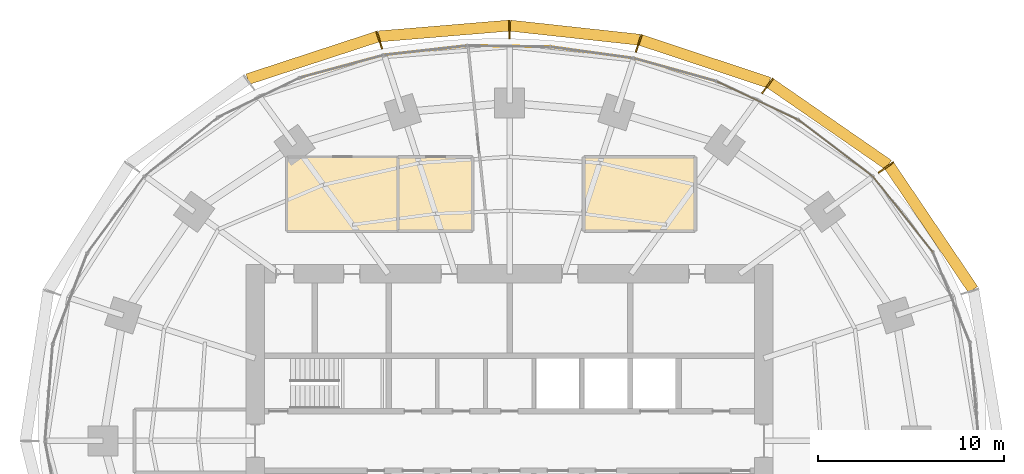
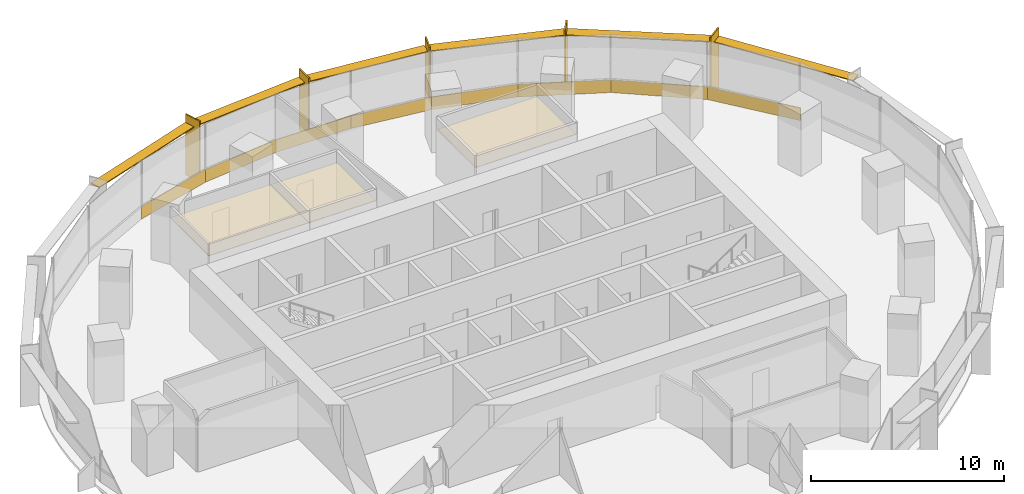
# One storey, part 14 of 14: 11 coverings, 11 shading devices.
"""IFC4 building model written with IfcOpenShell, lengths in metres."""

from ifc_helpers import new_model, si_unit, direction, frame, origin, origin_2d, place, context, subcontext, project, spatial, polyline, rectangle, outline, extrude, material, layer, layer_set, type_object, element, save


model = new_model("IFC4")

# Units and contexts
model_context = context("Model", 3, precision=1e-05, world=origin(), true_north=direction((0.0, 1.0)))
body_context = subcontext(model_context, "Body", "Model", "MODEL_VIEW")
ifc_project = project(units=[si_unit("LENGTHUNIT", "METRE"), si_unit("AREAUNIT", "SQUARE_METRE"), si_unit("VOLUMEUNIT", "CUBIC_METRE"), si_unit("PLANEANGLEUNIT", "RADIAN"), si_unit("MASSUNIT", "GRAM", prefix="KILO")], contexts=[model_context])

# Site, building, storey
site_placement = place(None, origin())
site = spatial("IfcSite", under=ifc_project, at=site_placement, CompositionType="ELEMENT")
building_placement = place(site_placement, origin())
building = spatial("IfcBuilding", under=site, at=building_placement, Name="Marramba Exchange Tower", CompositionType="ELEMENT")
storey_placement = place(building_placement, frame((0.0, 0.0, 162.60009765625)))
storey = spatial("IfcBuildingStorey", under=building, at=storey_placement, Name="L39", CompositionType="ELEMENT", Elevation=162.60009765625)

# Shading devices
ifc_material_1 = material(Name="Aluminium blade, timber-look bronze finish", Category="wood")
ifc_layer_1 = layer(ifc_material_1, 0.080078125)
ifc_layer_set_1 = layer_set([ifc_layer_1], Name="Floor-edge blade 1000x80")
shading_device_type_1 = type_object("IfcShadingDeviceType", Name="Floor-edge blade 1000x80", PredefinedType="USERDEFINED", material=ifc_layer_set_1)
for number, where, z_axis, x_axis, name in (
    (1, (20.27392578125, 14.72998046875, -0.16015625), (0.0, 0.0, 1.0), (0.809016994375, 0.587785252292, 0.0), "Floor-edge blade FB1 L39 TC03"),
    (2, (13.8955078125, 19.12548828125, -0.16015625), (0.0, 0.0, 1.0), (0.587785252292, 0.809016994375, 0.0), "Floor-edge blade FB1 L39 TC04"),
    (3, (6.958984375, 21.41748046875, -0.16015625), (0.0, 0.0, 1.0), (0.309016994375, 0.951056516295, 0.0), "Floor-edge blade FB1 L39 TC05"),
    (4, (0.0, 22.173095703125, -0.16015625), (0.0, 0.0, 1.0), (0.0, 1.0, 0.0), "Floor-edge blade FB1 L39 TC06"),
    (5, (-7.016845703125, 21.595703125, -0.16015625), (0.0, 0.0, 1.0), (-0.309016994375, 0.951056516295, 0.0), "Floor-edge blade FB1 L39 TC07"),
):
    element("IfcShadingDevice", number, at=place(storey_placement, frame(where, z_axis=z_axis, x_axis=x_axis)), inside=storey, type_object=shading_device_type_1, Name=name, ObjectType="FIN", PredefinedType="USERDEFINED", context=body_context, shape_type="SweptSolid", body=[
        extrude(rectangle(XDim=1.0, YDim=0.080078125, at=origin_2d()), origin(), (0.0, 0.0, 1.0), 3.860107421875),
    ])
ifc_material_2 = material(Name="Aluminium sunshade, bronze anodised", Category="aluminium")
ifc_layer_2 = layer(ifc_material_2, 0.06005859375)
ifc_layer_set_2 = layer_set([ifc_layer_2], Name="SUNSHADE blade 600x60")
shading_device_type_2 = type_object("IfcShadingDeviceType", Name="SUNSHADE blade 600x60", PredefinedType="USERDEFINED", material=ifc_layer_set_2)
shading_device_1_placement = place(storey_placement, frame((22.712158203125, 11.4833984375, 3.119873046875), z_axis=(0.0, 0.0, 1.0), x_axis=(-0.560441804861, 0.828193807852, 0.0)))
element("IfcShadingDevice", 6, at=shading_device_1_placement, inside=storey, type_object=shading_device_type_2, Name="Sunshade SS1 L39 bay 02", ObjectType="SUNSHADE", PredefinedType="USERDEFINED", context=body_context, shape_type="SweptSolid", body=[
    extrude(rectangle(XDim=8.0439453125, YDim=0.60009765625, at=origin_2d()), origin(), (0.0, 0.0, 1.0), 0.06005859375),
])
shading_device_2_placement = place(storey_placement, frame((17.224365234375, 17.0673828125, 3.119873046875), z_axis=(0.0, 0.0, 1.0), x_axis=(-0.822589509071, 0.568635647464, 0.0)))
element("IfcShadingDevice", 7, at=shading_device_2_placement, inside=storey, type_object=shading_device_type_2, Name="Sunshade SS1 L39 bay 03", ObjectType="SUNSHADE", PredefinedType="USERDEFINED", context=body_context, shape_type="SweptSolid", body=[
    extrude(rectangle(XDim=7.72802734375, YDim=0.60009765625, at=origin_2d()), origin(), (0.0, 0.0, 1.0), 0.06005859375),
])
shading_device_3_placement = place(storey_placement, frame((10.516845703125, 20.447509765625, 3.119873046875), z_axis=(0.0, 0.0, 1.0), x_axis=(-0.949101076178, 0.314971660944, 0.0)))
element("IfcShadingDevice", 8, at=shading_device_3_placement, inside=storey, type_object=shading_device_type_2, Name="Sunshade SS1 L39 bay 04", ObjectType="SUNSHADE", PredefinedType="USERDEFINED", context=body_context, shape_type="SweptSolid", body=[
    extrude(rectangle(XDim=7.287353515625, YDim=0.60009765625, at=origin_2d()), origin(), (0.0, 0.0, 1.0), 0.06005859375),
])
shading_device_4_placement = place(storey_placement, frame((3.510498046875, 21.990478515625, 3.119873046875), z_axis=(0.0, 0.0, 1.0), x_axis=(-0.994111392801, 0.108362995081, 0.0)))
element("IfcShadingDevice", 9, at=shading_device_4_placement, inside=storey, type_object=shading_device_type_2, Name="Sunshade SS1 L39 bay 05", ObjectType="SUNSHADE", PredefinedType="USERDEFINED", context=body_context, shape_type="SweptSolid", body=[
    extrude(rectangle(XDim=6.982421875, YDim=0.60009765625, at=origin_2d()), origin(), (0.0, 0.0, 1.0), 0.06005859375),
])
shading_device_5_placement = place(storey_placement, frame((-3.539306640625, 22.07958984375, 3.119873046875), z_axis=(0.0, 0.0, 1.0), x_axis=(-0.996577838412, -0.08265961521, 0.0)))
element("IfcShadingDevice", 10, at=shading_device_5_placement, inside=storey, type_object=shading_device_type_2, Name="Sunshade SS1 L39 bay 06", ObjectType="SUNSHADE", PredefinedType="USERDEFINED", context=body_context, shape_type="SweptSolid", body=[
    extrude(rectangle(XDim=7.02294921875, YDim=0.60009765625, at=origin_2d()), origin(), (0.0, 0.0, 1.0), 0.06005859375),
])
shading_device_6_placement = place(storey_placement, frame((-10.61279296875, 20.628662109375, 3.119873046875), z_axis=(0.0, 0.0, 1.0), x_axis=(-0.950345637432, -0.311196351865, 0.0)))
element("IfcShadingDevice", 11, at=shading_device_6_placement, inside=storey, type_object=shading_device_type_2, Name="Sunshade SS1 L39 bay 07", ObjectType="SUNSHADE", PredefinedType="USERDEFINED", context=body_context, shape_type="SweptSolid", body=[
    extrude(rectangle(XDim=7.357421875, YDim=0.60009765625, at=origin_2d()), origin(), (0.0, 0.0, 1.0), 0.06005859375),
])

# Coverings
ifc_material_3 = material(Name="Aluminium spandrel panel, bronze anodised, insulated", Category="aluminium")
ifc_layer_3 = layer(ifc_material_3, 0.050048828125)
ifc_layer_set_3 = layer_set([ifc_layer_3], Name="Spandrel panel 800")
covering_type_1 = type_object("IfcCoveringType", Name="Spandrel panel 800", PredefinedType="CLADDING", material=ifc_layer_set_3)
covering_1_placement = place(storey_placement, frame((21.20068359375, 12.194091796875, 0.0), z_axis=(0.0, 0.0, 1.0), x_axis=(-0.621311998758, 0.783563271344, 0.0)))
element("IfcCovering", 12, at=covering_1_placement, inside=storey, type_object=covering_type_1, Name="Spandrel panel SP1 L39 F03", PredefinedType="CLADDING", context=body_context, shape_type="SweptSolid", body=[
    extrude(rectangle(XDim=5.197021484375, YDim=0.050048828125, at=origin_2d()), origin(), (0.0, 0.0, 1.0), 0.800048828125),
])
covering_2_placement = place(storey_placement, frame((17.576171875, 15.759033203125, 0.0), z_axis=(0.0, 0.0, 1.0), x_axis=(-0.795971745176, 0.605333776426, 0.0)))
element("IfcCovering", 13, at=covering_2_placement, inside=storey, type_object=covering_type_1, Name="Spandrel panel SP1 L39 F04", PredefinedType="CLADDING", context=body_context, shape_type="SweptSolid", body=[
    extrude(rectangle(XDim=5.05078125, YDim=0.050048828125, at=origin_2d()), origin(), (0.0, 0.0, 1.0), 0.800048828125),
])
covering_3_placement = place(storey_placement, frame((13.371337890625, 18.322998046875, 0.0), z_axis=(0.0, 0.0, 1.0), x_axis=(-0.904403135206, 0.426678999987, 0.0)))
element("IfcCovering", 14, at=covering_3_placement, inside=storey, type_object=covering_type_1, Name="Spandrel panel SP1 L39 F05", PredefinedType="CLADDING", context=body_context, shape_type="SweptSolid", body=[
    extrude(rectangle(XDim=4.853271484375, YDim=0.050048828125, at=origin_2d()), origin(), (0.0, 0.0, 1.0), 0.800048828125),
])
covering_4_placement = place(storey_placement, frame((8.9365234375, 19.98388671875, 0.0), z_axis=(0.0, 0.0, 1.0), x_axis=(-0.963177847397, 0.268865085655, 0.0)))
element("IfcCovering", 15, at=covering_4_placement, inside=storey, type_object=covering_type_1, Name="Spandrel panel SP1 L39 F06", PredefinedType="CLADDING", context=body_context, shape_type="SweptSolid", body=[
    extrude(rectangle(XDim=4.651611328125, YDim=0.050048828125, at=origin_2d()), origin(), (0.0, 0.0, 1.0), 0.800048828125),
])
covering_5_placement = place(storey_placement, frame((4.46337890625, 20.915283203125, 0.0), z_axis=(0.0, 0.0, 1.0), x_axis=(-0.990738214019, 0.135785828725, 0.0)))
element("IfcCovering", 16, at=covering_5_placement, inside=storey, type_object=covering_type_1, Name="Spandrel panel SP1 L39 F07", PredefinedType="CLADDING", context=body_context, shape_type="SweptSolid", body=[
    extrude(rectangle(XDim=4.507568359375, YDim=0.050048828125, at=origin_2d()), origin(), (0.0, 0.0, 1.0), 0.800048828125),
])
covering_6_placement = place(storey_placement, frame((-0.003662109375, 21.25634765625, 0.0), z_axis=(0.0, 0.0, 1.0), x_axis=(-0.999875870008, 0.015755779107, 0.0)))
element("IfcCovering", 17, at=covering_6_placement, inside=storey, type_object=covering_type_1, Name="Spandrel panel SP1 L39 F08", PredefinedType="CLADDING", context=body_context, shape_type="SweptSolid", body=[
    extrude(rectangle(XDim=4.46875, YDim=0.050048828125, at=origin_2d()), origin(), (0.0, 0.0, 1.0), 0.800048828125),
])
covering_7_placement = place(storey_placement, frame((-4.49609375, 21.03955078125, 0.0), z_axis=(0.0, 0.0, 1.0), x_axis=(-0.993823395975, -0.110973229261, 0.0)))
element("IfcCovering", 18, at=covering_7_placement, inside=storey, type_object=covering_type_1, Name="Spandrel panel SP1 L39 F09", PredefinedType="CLADDING", context=body_context, shape_type="SweptSolid", body=[
    extrude(rectangle(XDim=4.54443359375, YDim=0.050048828125, at=origin_2d()), origin(), (0.0, 0.0, 1.0), 0.800048828125),
])
covering_8_placement = place(storey_placement, frame((-9.0244140625, 20.17529296875, 0.0), z_axis=(0.0, 0.0, 1.0), x_axis=(-0.965522049344, -0.26032128655, 0.0)))
element("IfcCovering", 19, at=covering_8_placement, inside=storey, type_object=covering_type_1, Name="Spandrel panel SP1 L39 F10", PredefinedType="CLADDING", context=body_context, shape_type="SweptSolid", body=[
    extrude(rectangle(XDim=4.70263671875, YDim=0.050048828125, at=origin_2d()), origin(), (0.0, 0.0, 1.0), 0.800048828125),
])
ifc_material_4 = material(Name="Mineral fibre ceiling tiles", Category="gypsum")
ifc_layer_4 = layer(ifc_material_4, 0.02001953125)
ifc_layer_set_4 = layer_set([ifc_layer_4], Name="Suspended ceiling 20")
covering_type_2 = type_object("IfcCoveringType", Name="Suspended ceiling 20", PredefinedType="CEILING", material=ifc_layer_set_4)
covering_9_placement = place(storey_placement, frame((0.0, 0.0, 2.89990234375)))
element("IfcCovering", 20, at=covering_9_placement, inside=storey, type_object=covering_type_2, Name="Ceiling CL1 L39 First Aid Room", PredefinedType="CEILING", context=body_context, shape_type="SweptSolid", body=[
    extrude(outline(polyline([(-6.0, 11.300048828125), (-12.0, 11.300048828125), (-12.0, 15.300048828125), (-6.0, 15.300048828125), (-6.0, 11.300048828125)])), origin(), (0.0, 0.0, 1.0), 0.02001953125),
])
covering_10_placement = place(storey_placement, frame((0.0, 0.0, 2.89990234375)))
element("IfcCovering", 21, at=covering_10_placement, inside=storey, type_object=covering_type_2, Name="Ceiling CL1 L39 Quiet Room", PredefinedType="CEILING", context=body_context, shape_type="SweptSolid", body=[
    extrude(outline(polyline([(-2.0, 11.300048828125), (-6.0, 11.300048828125), (-6.0, 15.300048828125), (-2.0, 15.300048828125), (-2.0, 11.300048828125)])), origin(), (0.0, 0.0, 1.0), 0.02001953125),
])
covering_11_placement = place(storey_placement, frame((0.0, 0.0, 2.89990234375)))
element("IfcCovering", 22, at=covering_11_placement, inside=storey, type_object=covering_type_2, Name="Ceiling CL1 L39 Meeting Room", PredefinedType="CEILING", context=body_context, shape_type="SweptSolid", body=[
    extrude(outline(polyline([(10.0, 11.300048828125), (4.0, 11.300048828125), (4.0, 15.300048828125), (10.0, 15.300048828125), (10.0, 11.300048828125)])), origin(), (0.0, 0.0, 1.0), 0.02001953125),
])

save(model, "model.ifc")
